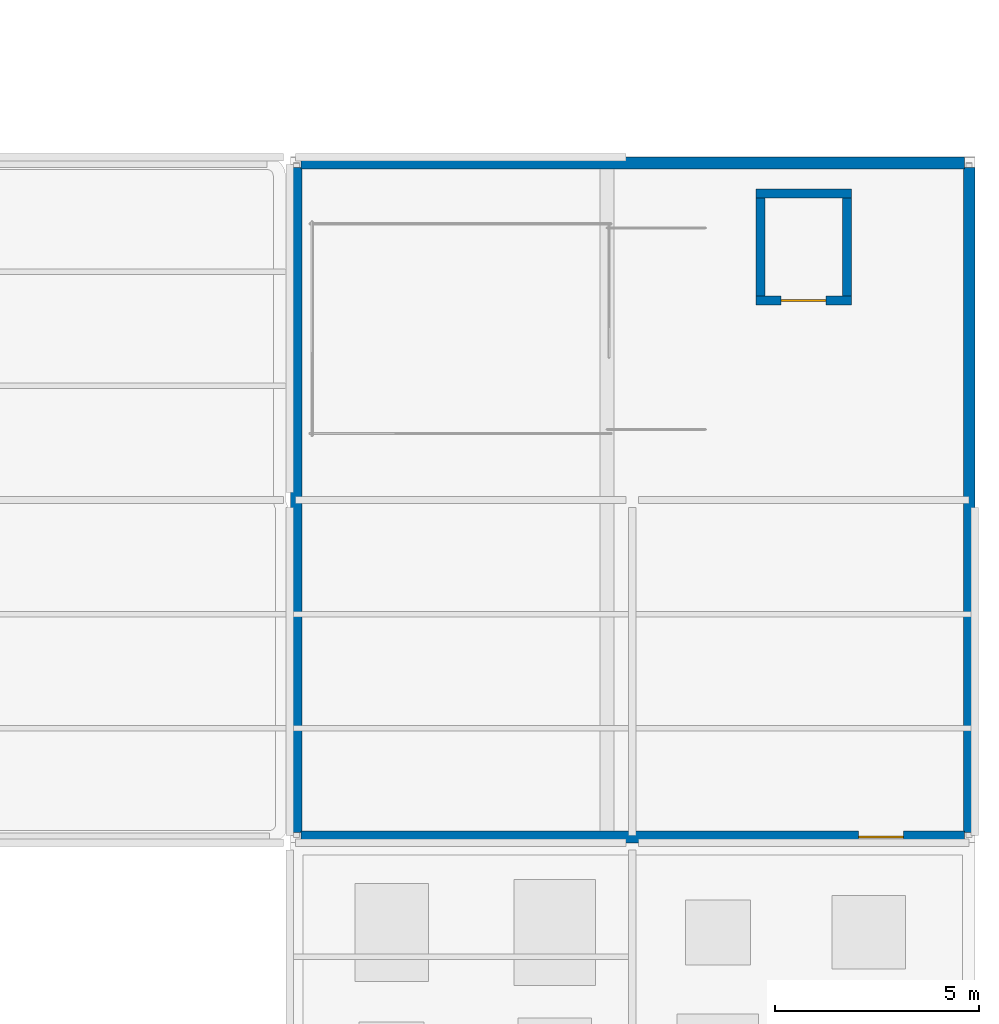
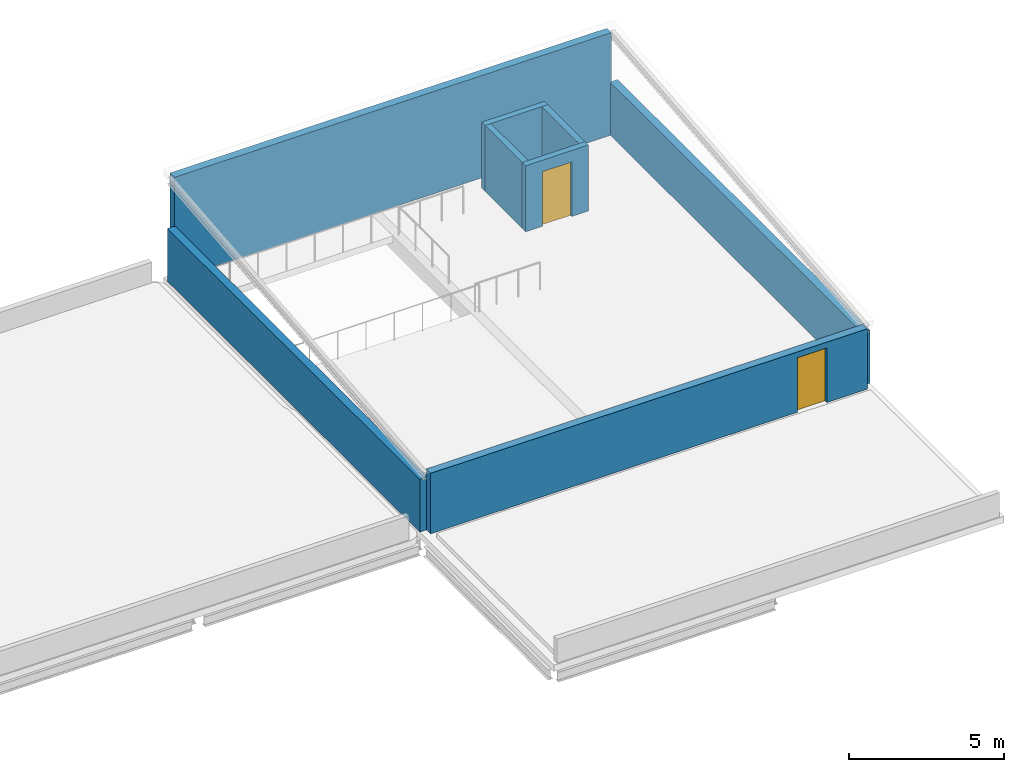
# One storey, part 3 of 5: 8 walls, 2 doors, 2 openings.
"""IFC4 building model written with IfcOpenShell, lengths in metres."""

from ifc_helpers import new_model, si_unit, derived_unit, direction, frame, frame_2d, origin, place, context, subcontext, project, spatial, rectangle, extrude, material, layer, layer_set, type_object, element, fill, save


model = new_model("IFC4")

# Units and contexts
model_context = context("Model", 3, precision=1e-05, world=origin(), true_north=direction((0.0, 1.0)))
body_context = subcontext(model_context, "Body", "Model", "MODEL_VIEW")
ifc_project = project(units=[si_unit("LENGTHUNIT", "METRE"), si_unit("AREAUNIT", "SQUARE_METRE"), si_unit("VOLUMEUNIT", "CUBIC_METRE"), si_unit("PLANEANGLEUNIT", "RADIAN"), si_unit("MASSUNIT", "GRAM", prefix="KILO"), derived_unit("THERMALTRANSMITTANCEUNIT", [(si_unit("POWERUNIT", "WATT"), 1), (si_unit("LENGTHUNIT", "METRE"), -2), (si_unit("THERMODYNAMICTEMPERATUREUNIT", "KELVIN"), -1)])], contexts=[model_context])

# Site, building, storey
site_placement = place(None, origin())
site = spatial("IfcSite", under=ifc_project, at=site_placement, CompositionType="ELEMENT")
building_placement = place(site_placement, origin())
building = spatial("IfcBuilding", under=site, at=building_placement, Name="Elbkamm Science Centre", CompositionType="ELEMENT")
storey_placement = place(building_placement, frame((0.0, 0.0, 25.5)))
storey = spatial("IfcBuildingStorey", under=building, at=storey_placement, Name="RF", CompositionType="ELEMENT", Elevation=25.5)

# Wall, opening, door
ifc_material_1 = material(Name="White precast concrete C40/50", Category="concrete")
ifc_layer_1 = layer(ifc_material_1, 0.2900390625)
ifc_layer_set_1 = layer_set([ifc_layer_1], Name="White precast concrete C40/50")
wall_type_1 = type_object("IfcWallType", Name="WL-EXT-290", PredefinedType="SOLIDWALL", material=ifc_layer_set_1)
wall_1_placement = place(storey_placement, frame((126.27490234375, 42.139892578125, 0.0), z_axis=(0.0, 0.0, 1.0), x_axis=(1.0, 0.0, 0.0)))
wall_1 = element("IfcWall", 1, at=wall_1_placement, inside=storey, type_object=wall_type_1, Name="RF Stair Headhouse Wall S", PredefinedType="SOLIDWALL", context=body_context, shape_type="SweptSolid", body=[
    extrude(rectangle(XDim=16.275146484375, YDim=0.2900390625, at=frame_2d((8.1376953125, 0.0))), origin(), (0.0, 0.0, 1.0), 2.3798828125),
])
opening_1_placement = place(wall_1_placement, frame((13.675048828125, 0.0, 0.0)))
opening_1 = element("IfcOpeningElement", 2, at=opening_1_placement, cuts=wall_1, Name="Opening RD-01", PredefinedType="OPENING", context=body_context, shape_type="SweptSolid", body=[
    extrude(rectangle(XDim=1.10009765625, YDim=2.14990234375, at=frame_2d((0.550048828125, 1.074951171875))), frame((0.0, 0.156982421875, 0.0), z_axis=(0.0, -1.0, 0.0), x_axis=(1.0, 0.0, 0.0)), (0.0, 0.0, 1.0), 0.31396484375),
])
ifc_material_2 = material(Name="Insulated painted steel roof exit door", Category="steel")
ifc_layer_2 = layer(ifc_material_2, 0.050048828125)
ifc_layer_set_2 = layer_set([ifc_layer_2], Name="Insulated painted steel roof exit door")
door_type_1 = type_object("IfcDoorType", Name="DR-RF-1100x2150", OperationType="NOTDEFINED", PredefinedType="DOOR", material=ifc_layer_set_2)
door_1_placement = place(opening_1_placement, frame((1.10009765625, 0.0, 0.0), z_axis=(0.0, 0.0, 1.0), x_axis=(-1.0, 0.0, 0.0)))
door_1 = element("IfcDoor", 3, at=door_1_placement, inside=storey, type_object=door_type_1, Name="RF Maintenance Roof Access Door", OperationType="SINGLE_SWING_LEFT", OverallHeight=2.14990234375, OverallWidth=1.10009765625, PredefinedType="DOOR", context=body_context, shape_type="SweptSolid", body=[
    extrude(rectangle(XDim=1.10009765625, YDim=2.14990234375, at=frame_2d((0.550048828125, 1.074951171875))), frame((0.0, 0.02490234375, 0.0), z_axis=(0.0, -1.0, 0.0), x_axis=(1.0, 0.0, 0.0)), (0.0, 0.0, 1.0), 0.050048828125),
])
fill(opening_1, door_1)

# Walls
wall_2_placement = place(storey_placement, frame((126.27490234375, 58.659912109375, 0.0), z_axis=(0.0, 0.0, 1.0), x_axis=(1.0, 0.0, 0.0)))
element("IfcWall", 4, at=wall_2_placement, inside=storey, type_object=wall_type_1, Name="RF Stair Headhouse Wall N", PredefinedType="SOLIDWALL", context=body_context, shape_type="SweptSolid", body=[
    extrude(rectangle(XDim=16.275146484375, YDim=0.2900390625, at=frame_2d((8.1376953125, 0.0))), origin(), (0.0, 0.0, 1.0), 4.030029296875),
])
for number, where, z_axis, x_axis, name in (
    (5, (126.1650390625, 42.25, 0.0), (0.0, 0.0, 1.0), (0.0, 1.0, 0.0), "RF Stair Headhouse Wall W"),
    (6, (142.659912109375, 42.25, 0.0), (0.0, 0.0, 1.0), (0.0, 1.0, 0.0), "RF Stair Headhouse Wall E"),
):
    element("IfcWall", number, at=place(storey_placement, frame(where, z_axis=z_axis, x_axis=x_axis)), inside=storey, type_object=wall_type_1, Name=name, PredefinedType="SOLIDWALL", context=body_context, shape_type="SweptSolid", body=[
        extrude(rectangle(XDim=16.300048828125, YDim=0.2900390625, at=frame_2d((8.14990234375, 0.0))), origin(), (0.0, 0.0, 1.0), 2.080078125),
    ])

# Wall, opening, door
ifc_material_3 = material(Name="Reinforced concrete C40/50", Category="concrete")
ifc_layer_3 = layer(ifc_material_3, 0.219970703125)
ifc_layer_set_3 = layer_set([ifc_layer_3], Name="Reinforced concrete C40/50")
wall_type_2 = type_object("IfcWallType", Name="WL-SHAFT-220", PredefinedType="SOLIDWALL", material=ifc_layer_set_3)
wall_3_placement = place(storey_placement, frame((137.429931640625, 55.2900390625, 0.0), z_axis=(0.0, 0.0, 1.0), x_axis=(1.0, 0.0, 0.0)))
wall_3 = element("IfcWall", 7, at=wall_3_placement, inside=storey, type_object=wall_type_2, Name="RF Lift LP1 Shaft Front Wall", PredefinedType="SOLIDWALL", context=body_context, shape_type="SweptSolid", body=[
    extrude(rectangle(XDim=2.340087890625, YDim=0.219970703125, at=frame_2d((1.169921875, 0.0))), origin(), (0.0, 0.0, 1.0), 2.60009765625),
])
opening_2_placement = place(wall_3_placement, frame((0.6201171875, 0.0, 0.0)))
opening_2 = element("IfcOpeningElement", 8, at=opening_2_placement, cuts=wall_3, Name="Opening LD-01", PredefinedType="OPENING", context=body_context, shape_type="SweptSolid", body=[
    extrude(rectangle(XDim=1.10009765625, YDim=2.14990234375, at=frame_2d((0.550048828125, 1.074951171875))), frame((0.0, 0.1220703125, 0.0), z_axis=(0.0, -1.0, 0.0), x_axis=(1.0, 0.0, 0.0)), (0.0, 0.0, 1.0), 0.243896484375),
])
ifc_material_4 = material(Name="Stainless steel lift landing door", Category="steel")
ifc_layer_4 = layer(ifc_material_4, 0.050048828125)
ifc_layer_set_4 = layer_set([ifc_layer_4], Name="Stainless steel lift landing door")
door_type_2 = type_object("IfcDoorType", Name="DR-LIFT-1100x2150", OperationType="DOUBLE_DOOR_SLIDING", PredefinedType="DOOR", material=ifc_layer_set_4)
door_2_placement = place(opening_2_placement, origin())
door_2 = element("IfcDoor", 9, at=door_2_placement, inside=storey, type_object=door_type_2, Name="RF Lift LP1 Sliding Landing Door", OperationType="DOUBLE_DOOR_SLIDING", OverallHeight=2.14990234375, OverallWidth=1.10009765625, PredefinedType="DOOR", context=body_context, shape_type="SweptSolid", body=[
    extrude(rectangle(XDim=1.10009765625, YDim=2.14990234375, at=frame_2d((0.550048828125, 1.074951171875))), frame((0.0, 0.02490234375, 0.0), z_axis=(0.0, -1.0, 0.0), x_axis=(1.0, 0.0, 0.0)), (0.0, 0.0, 1.0), 0.050048828125),
])
fill(opening_2, door_2)

# Walls
wall_4_placement = place(storey_placement, frame((137.429931640625, 57.909912109375, 0.0), z_axis=(0.0, 0.0, 1.0), x_axis=(1.0, 0.0, 0.0)))
element("IfcWall", 10, at=wall_4_placement, inside=storey, type_object=wall_type_2, Name="RF Lift LP1 Shaft Back Wall", PredefinedType="SOLIDWALL", context=body_context, shape_type="SweptSolid", body=[
    extrude(rectangle(XDim=2.340087890625, YDim=0.219970703125, at=frame_2d((1.169921875, 0.0))), origin(), (0.0, 0.0, 1.0), 2.60009765625),
])
for number, where, z_axis, x_axis, name in (
    (11, (137.5400390625, 55.39990234375, 0.0), (0.0, 0.0, 1.0), (0.0, 1.0, 0.0), "RF Lift LP1 Shaft West Wall"),
    (12, (139.659912109375, 55.39990234375, 0.0), (0.0, 0.0, 1.0), (0.0, 1.0, 0.0), "RF Lift LP1 Shaft East Wall"),
):
    element("IfcWall", number, at=place(storey_placement, frame(where, z_axis=z_axis, x_axis=x_axis)), inside=storey, type_object=wall_type_2, Name=name, PredefinedType="SOLIDWALL", context=body_context, shape_type="SweptSolid", body=[
        extrude(rectangle(XDim=2.400146484375, YDim=0.219970703125, at=frame_2d((1.2001953125, 0.0))), origin(), (0.0, 0.0, 1.0), 2.60009765625),
    ])

save(model, "model.ifc")
